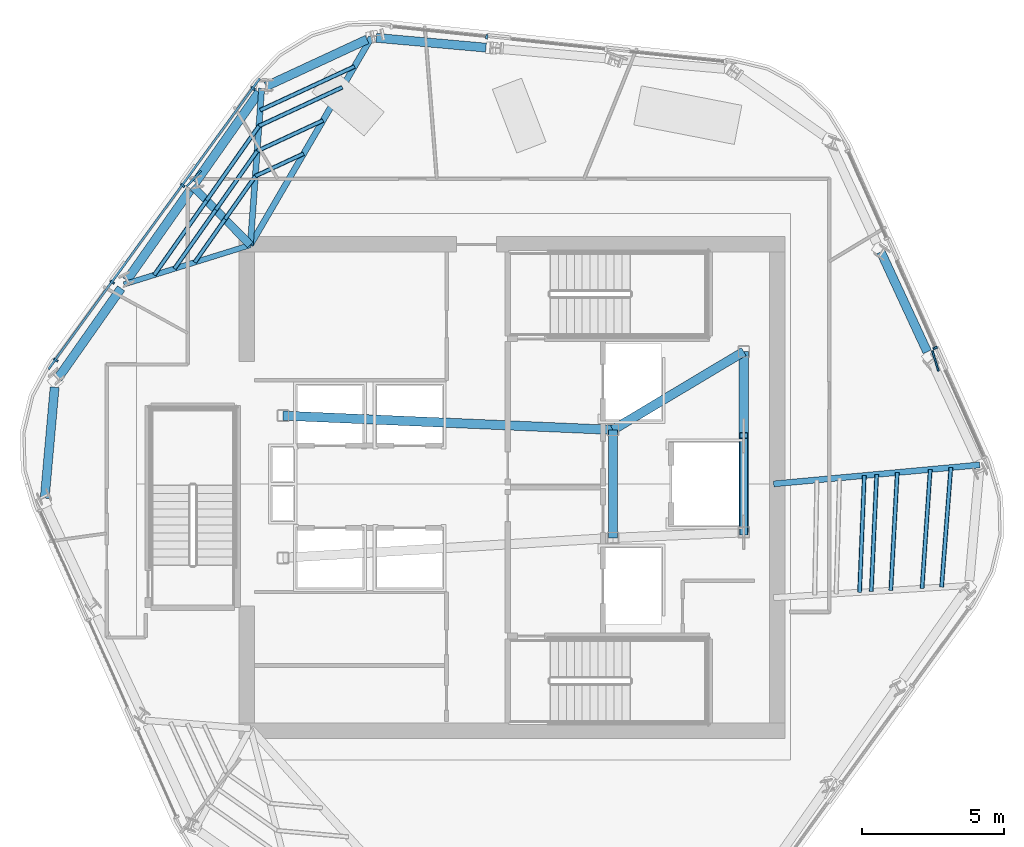
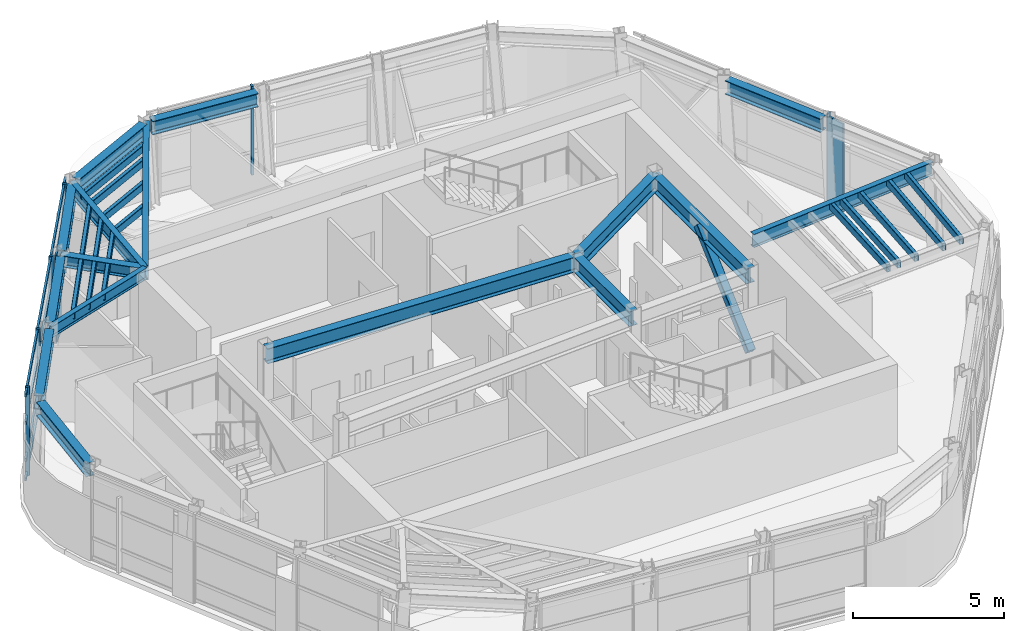
# One storey, part 3 of 12: 28 members, 16 beams, 3 elements without a shape of their own.
"""IFC4 building model written with IfcOpenShell, lengths in metres."""

from ifc_helpers import new_model, si_unit, direction, frame, origin, origin_2d, place, context, subcontext, project, spatial, rectangle, hollow_rectangle, i_section, extrude, material, layer, layer_set, material_profile, profile_set, type_object, element, aggregate, save


model = new_model("IFC4")

# Units and contexts
model_context = context("Model", 3, precision=1e-05, world=origin(), true_north=direction((0.0, 1.0)))
body_context = subcontext(model_context, "Body", "Model", "MODEL_VIEW")
ifc_project = project(units=[si_unit("LENGTHUNIT", "METRE"), si_unit("AREAUNIT", "SQUARE_METRE"), si_unit("VOLUMEUNIT", "CUBIC_METRE"), si_unit("PLANEANGLEUNIT", "RADIAN"), si_unit("MASSUNIT", "GRAM", prefix="KILO")], contexts=[model_context])

# Site, building, storey
site_placement = place(None, origin())
site = spatial("IfcSite", under=ifc_project, at=site_placement, CompositionType="ELEMENT")
building_placement = place(site_placement, origin())
building = spatial("IfcBuilding", under=site, at=building_placement, Name="Valkerne Bourse Tower", CompositionType="ELEMENT")
storey_placement = place(building_placement, frame((0.0, 0.0, 258.39990234375)))
storey = spatial("IfcBuildingStorey", under=building, at=storey_placement, Name="L65", CompositionType="ELEMENT", Elevation=258.39990234375)

# Beams
ifc_material_1 = material(Name="Steel ASTM A992", Category="steel")
ifc_material_profile_1 = material_profile(ifc_material_1, i_section(OverallWidth=0.1904296875, OverallDepth=0.457275390625, WebThickness=0.009033203125, FlangeThickness=0.014404296875, FilletRadius=0.01513671875, at=origin_2d()), Name="W18X50")
ifc_profile_set_1 = profile_set([ifc_material_profile_1], Name="Steel ASTM A992")
beam_type_1 = type_object("IfcBeamType", Name="BM-W18X50", PredefinedType="JOIST", material=ifc_profile_set_1)
beam_1_placement = place(storey_placement, frame((33.154296875, 34.016357421875, 3.37158203125), z_axis=(0.954831984078, 0.2971462303, 0.0), x_axis=(-0.2971462303, 0.954831984078, 0.0)))
element("IfcBeam", 1, at=beam_1_placement, inside=storey, type_object=beam_type_1, Name="L65 Radial Composite Floor Beam 06", PredefinedType="JOIST", context=body_context, shape_type="SweptSolid", body=[
    extrude(i_section(OverallWidth=0.1904296875, OverallDepth=0.457275390625, WebThickness=0.009033203125, FlangeThickness=0.014404296875, FilletRadius=0.01513671875, at=origin_2d()), origin(), (0.0, 0.0, 1.0), 4.656005859375),
])
ifc_material_profile_2 = material_profile(ifc_material_1, i_section(OverallWidth=0.279296875, OverallDepth=0.46240234375, WebThickness=0.0107421875, FlangeThickness=0.017333984375, FilletRadius=0.017822265625, at=origin_2d()), Name="W18X76")
ifc_profile_set_2 = profile_set([ifc_material_profile_2], Name="Steel ASTM A992")
beam_type_2 = type_object("IfcBeamType", Name="BM-W18X76", PredefinedType="BEAM", material=ifc_profile_set_2)
beam_2_placement = place(storey_placement, frame((35.576171875, 37.46240234375, 3.368896484375), z_axis=(0.700400772795, -0.713749786317, 0.0), x_axis=(0.713749786317, 0.700400772795, 0.0)))
element("IfcBeam", 2, at=beam_2_placement, inside=storey, type_object=beam_type_2, Name="L65 Radial Composite Floor Beam 05", PredefinedType="BEAM", context=body_context, shape_type="SweptSolid", body=[
    extrude(i_section(OverallWidth=0.279296875, OverallDepth=0.46240234375, WebThickness=0.0107421875, FlangeThickness=0.017333984375, FilletRadius=0.017822265625, at=origin_2d()), origin(), (0.0, 0.0, 1.0), 2.8896484375),
])
ifc_material_profile_3 = material_profile(ifc_material_1, i_section(OverallWidth=0.31494140625, OverallDepth=0.5537109375, WebThickness=0.0166015625, FlangeThickness=0.026123046875, FilletRadius=0.020263671875, at=origin_2d()), Name="W21X132")
ifc_profile_set_3 = profile_set([ifc_material_profile_3], Name="Steel ASTM A992")
beam_type_3 = type_object("IfcBeamType", Name="BM-W21X132", PredefinedType="BEAM", material=ifc_profile_set_3)
beam_3_placement = place(storey_placement, frame((45.884033203125, 42.3408203125, 3.3232421875), z_axis=(-0.996040198299, 0.088904012129, 0.0), x_axis=(-0.088904012129, -0.996040198299, 0.0)))
element("IfcBeam", 3, at=beam_3_placement, inside=storey, type_object=beam_type_3, Name="L65 Hexagonal Spandrel Ring Beam 02", PredefinedType="BEAM", context=body_context, shape_type="SweptSolid", body=[
    extrude(i_section(OverallWidth=0.31494140625, OverallDepth=0.5537109375, WebThickness=0.0166015625, FlangeThickness=0.026123046875, FilletRadius=0.020263671875, at=origin_2d()), origin(), (0.0, 0.0, 1.0), 3.8720703125),
])
beam_4_placement = place(storey_placement, frame((41.703857421875, 42.628662109375, 3.3232421875), z_axis=(-0.907042984844, -0.421038031114, 0.0), x_axis=(0.421038031114, -0.907042984844, 0.0)))
element("IfcBeam", 4, at=beam_4_placement, inside=storey, type_object=beam_type_3, Name="L65 Hexagonal Spandrel Ring Beam 03", PredefinedType="BEAM", context=body_context, shape_type="SweptSolid", body=[
    extrude(i_section(OverallWidth=0.31494140625, OverallDepth=0.5537109375, WebThickness=0.0166015625, FlangeThickness=0.026123046875, FilletRadius=0.020263671875, at=origin_2d()), origin(), (0.0, 0.0, 1.0), 3.915771484375),
])
beam_5_placement = place(storey_placement, frame((37.900146484375, 40.769287109375, 3.3232421875), z_axis=(-0.575005980891, -0.818149205182, 0.0), x_axis=(0.818149205182, -0.575005980891, 0.0)))
element("IfcBeam", 5, at=beam_5_placement, inside=storey, type_object=beam_type_3, Name="L65 Hexagonal Spandrel Ring Beam 04", PredefinedType="BEAM", context=body_context, shape_type="SweptSolid", body=[
    extrude(i_section(OverallWidth=0.31494140625, OverallDepth=0.5537109375, WebThickness=0.0166015625, FlangeThickness=0.026123046875, FilletRadius=0.020263671875, at=origin_2d()), origin(), (0.0, 0.0, 1.0), 3.871826171875),
])
beam_6_placement = place(storey_placement, frame((35.478515625, 37.3232421875, 3.3232421875), z_axis=(-0.575048186148, -0.818119541148, 0.0), x_axis=(0.818119541148, -0.575048186148, 0.0)))
element("IfcBeam", 6, at=beam_6_placement, inside=storey, type_object=beam_type_3, Name="L65 Hexagonal Spandrel Ring Beam 05", PredefinedType="BEAM", context=body_context, shape_type="SweptSolid", body=[
    extrude(i_section(OverallWidth=0.31494140625, OverallDepth=0.5537109375, WebThickness=0.0166015625, FlangeThickness=0.026123046875, FilletRadius=0.020263671875, at=origin_2d()), origin(), (0.0, 0.0, 1.0), 3.8720703125),
])
beam_7_placement = place(storey_placement, frame((33.056396484375, 33.877197265625, 3.3232421875), z_axis=(-0.575005980891, -0.818149205182, 0.0), x_axis=(0.818149205182, -0.575005980891, 0.0)))
element("IfcBeam", 7, at=beam_7_placement, inside=storey, type_object=beam_type_3, Name="L65 Hexagonal Spandrel Ring Beam 06", PredefinedType="BEAM", context=body_context, shape_type="SweptSolid", body=[
    extrude(i_section(OverallWidth=0.31494140625, OverallDepth=0.5537109375, WebThickness=0.0166015625, FlangeThickness=0.026123046875, FilletRadius=0.020263671875, at=origin_2d()), origin(), (0.0, 0.0, 1.0), 3.871826171875),
])
beam_8_placement = place(storey_placement, frame((30.71728515625, 30.40087890625, 3.3232421875), z_axis=(-0.088910950834, -0.996039578943, 0.0), x_axis=(0.996039578943, -0.088910950834, 0.0)))
element("IfcBeam", 8, at=beam_8_placement, inside=storey, type_object=beam_type_3, Name="L65 Hexagonal Spandrel Ring Beam 07", PredefinedType="BEAM", context=body_context, shape_type="SweptSolid", body=[
    extrude(i_section(OverallWidth=0.31494140625, OverallDepth=0.5537109375, WebThickness=0.0166015625, FlangeThickness=0.026123046875, FilletRadius=0.020263671875, at=origin_2d()), origin(), (0.0, 0.0, 1.0), 3.915771484375),
])
beam_9_placement = place(storey_placement, frame((61.40087890625, 31.643310546875, 3.3232421875), z_axis=(-0.421020525824, 0.907051110376, 0.0), x_axis=(-0.907051110376, -0.421020525824, 0.0)))
element("IfcBeam", 9, at=beam_9_placement, inside=storey, type_object=beam_type_3, Name="L65 Hexagonal Spandrel Ring Beam 21", PredefinedType="BEAM", context=body_context, shape_type="SweptSolid", body=[
    extrude(i_section(OverallWidth=0.31494140625, OverallDepth=0.5537109375, WebThickness=0.0166015625, FlangeThickness=0.026123046875, FilletRadius=0.020263671875, at=origin_2d()), origin(), (0.0, 0.0, 1.0), 3.871826171875),
])
ifc_material_profile_4 = material_profile(ifc_material_1, i_section(OverallWidth=0.209228515625, OverallDepth=0.533447265625, WebThickness=0.01025390625, FlangeThickness=0.015625, FilletRadius=0.017822265625, at=origin_2d()), Name="W21X62")
ifc_profile_set_4 = profile_set([ifc_material_profile_4], Name="Steel ASTM A992")
beam_type_4 = type_object("IfcBeamType", Name="BM-W21X62", PredefinedType="JOIST", material=ifc_profile_set_4)
beam_10_placement = place(storey_placement, frame((37.998046875, 40.908447265625, 3.33349609375), z_axis=(-0.072054387636, -0.997400704442, 0.0), x_axis=(0.997400704442, -0.072054387636, 0.0)))
element("IfcBeam", 10, at=beam_10_placement, inside=storey, type_object=beam_type_4, Name="L65 Radial Composite Floor Beam 04", PredefinedType="JOIST", context=body_context, shape_type="SweptSolid", body=[
    extrude(i_section(OverallWidth=0.209228515625, OverallDepth=0.533447265625, WebThickness=0.01025390625, FlangeThickness=0.015625, FilletRadius=0.017822265625, at=origin_2d()), origin(), (0.0, 0.0, 1.0), 5.52294921875),
])
beam_11_placement = place(storey_placement, frame((63.24609375, 27.66845703125, 3.33349609375), z_axis=(-0.995771874135, -0.091860626394, 0.0), x_axis=(0.091860626394, -0.995771874135, 0.0)))
element("IfcBeam", 11, at=beam_11_placement, inside=storey, type_object=beam_type_4, Name="L65 Radial Composite Floor Beam 20", PredefinedType="JOIST", context=body_context, shape_type="SweptSolid", body=[
    extrude(i_section(OverallWidth=0.209228515625, OverallDepth=0.533447265625, WebThickness=0.01025390625, FlangeThickness=0.015625, FilletRadius=0.017822265625, at=origin_2d()), origin(), (0.0, 0.0, 1.0), 7.27685546875),
])
ifc_material_profile_5 = material_profile(ifc_material_1, i_section(OverallWidth=0.2138671875, OverallDepth=0.548583984375, WebThickness=0.0146484375, FlangeThickness=0.023681640625, FilletRadius=0.017822265625, at=origin_2d()), Name="W21X93")
ifc_profile_set_5 = profile_set([ifc_material_profile_5], Name="Steel ASTM A992")
beam_type_5 = type_object("IfcBeamType", Name="BM-W21X93", PredefinedType="BEAM", material=ifc_profile_set_5)
beam_12_placement = place(storey_placement, frame((41.858154296875, 42.7001953125, 3.32568359375), z_axis=(-0.503831510127, -0.863801950336, 0.0), x_axis=(0.863801950336, -0.503831510127, 0.0)))
element("IfcBeam", 12, at=beam_12_placement, inside=storey, type_object=beam_type_5, Name="L65 Radial Composite Floor Beam 03", PredefinedType="BEAM", context=body_context, shape_type="SweptSolid", body=[
    extrude(i_section(OverallWidth=0.2138671875, OverallDepth=0.548583984375, WebThickness=0.0146484375, FlangeThickness=0.023681640625, FilletRadius=0.017822265625, at=origin_2d()), origin(), (0.0, 0.0, 1.0), 8.451416015625),
])
ifc_material_profile_6 = material_profile(ifc_material_1, i_section(OverallWidth=0.3251953125, OverallDepth=0.612060546875, WebThickness=0.0126953125, FlangeThickness=0.01904296875, FilletRadius=0.020263671875, at=origin_2d()), Name="W24X104")
ifc_profile_set_6 = profile_set([ifc_material_profile_6], Name="Steel ASTM A992")
beam_type_6 = type_object("IfcBeamType", Name="BM-W24X104", PredefinedType="BEAM", material=ifc_profile_set_6)
beam_13_placement = place(storey_placement, frame((50.35009765625, 25.10009765625, 3.2939453125), z_axis=(0.0, 1.0, 0.0), x_axis=(-1.0, 0.0, 0.0)))
element("IfcBeam", 13, at=beam_13_placement, inside=storey, type_object=beam_type_6, Name="L65 Core Frame Girder CG-CE", PredefinedType="BEAM", context=body_context, shape_type="SweptSolid", body=[
    extrude(i_section(OverallWidth=0.3251953125, OverallDepth=0.612060546875, WebThickness=0.0126953125, FlangeThickness=0.01904296875, FilletRadius=0.020263671875, at=origin_2d()), origin(), (0.0, 0.0, 1.0), 3.7998046875),
])
beam_14_placement = place(storey_placement, frame((50.35009765625, 28.89990234375, 3.2939453125), z_axis=(0.858307823492, 0.513135148019, 0.0), x_axis=(-0.513135148019, 0.858307823492, 0.0)))
element("IfcBeam", 14, at=beam_14_placement, inside=storey, type_object=beam_type_6, Name="L65 Core Frame Girder CG-NE", PredefinedType="BEAM", context=body_context, shape_type="SweptSolid", body=[
    extrude(i_section(OverallWidth=0.3251953125, OverallDepth=0.612060546875, WebThickness=0.0126953125, FlangeThickness=0.01904296875, FilletRadius=0.020263671875, at=origin_2d()), origin(), (0.0, 0.0, 1.0), 5.359130859375),
])
beam_15_placement = place(storey_placement, frame((54.949951171875, 25.300048828125, 3.2939453125), z_axis=(0.0, 1.0, 0.0), x_axis=(-1.0, 0.0, 0.0)))
element("IfcBeam", 15, at=beam_15_placement, inside=storey, type_object=beam_type_6, Name="L65 Core Frame Girder CG-EE", PredefinedType="BEAM", context=body_context, shape_type="SweptSolid", body=[
    extrude(i_section(OverallWidth=0.3251953125, OverallDepth=0.612060546875, WebThickness=0.0126953125, FlangeThickness=0.01904296875, FilletRadius=0.020263671875, at=origin_2d()), origin(), (0.0, 0.0, 1.0), 6.349853515625),
])
beam_16_placement = place(storey_placement, frame((38.75, 29.39990234375, 3.2939453125), z_axis=(0.999072354402, -0.043063101019, 0.0), x_axis=(0.043063101019, 0.999072354402, 0.0)))
element("IfcBeam", 16, at=beam_16_placement, inside=storey, type_object=beam_type_6, Name="L65 Core Frame Girder CG-NW", PredefinedType="BEAM", context=body_context, shape_type="SweptSolid", body=[
    extrude(i_section(OverallWidth=0.3251953125, OverallDepth=0.612060546875, WebThickness=0.0126953125, FlangeThickness=0.01904296875, FilletRadius=0.020263671875, at=origin_2d()), origin(), (0.0, 0.0, 1.0), 11.61083984375),
])

# Curtain wall, member
ifc_material_2 = material(Name="Aluminium AA 6063-T6", Category="aluminium")
ifc_layer = layer(ifc_material_2, 0.2451171875)
ifc_layer_set = layer_set([ifc_layer], Name="Aluminium AA 6063-T6")
curtain_wall_type = type_object("IfcCurtainWallType", Name="CW-05", PredefinedType="NOTDEFINED", material=ifc_layer_set)
curtain_wall_1_placement = place(storey_placement, origin())
curtain_wall_1 = element("IfcCurtainWall", 17, at=curtain_wall_1_placement, inside=storey, type_object=curtain_wall_type, Name="L65 Hexagonal Stick Curtain Wall Face 1", PredefinedType="NOTDEFINED")
ifc_material_profile_7 = material_profile(ifc_material_2, rectangle(XDim=0.074951171875, YDim=0.159912109375, at=origin_2d()), Name="CWM-75X160")
ifc_profile_set_7 = profile_set([ifc_material_profile_7], Name="Aluminium AA 6063-T6")
member_type_1 = type_object("IfcMemberType", Name="CW-MUL-160X75", PredefinedType="MULLION", material=ifc_profile_set_7)
member_1_placement = place(storey_placement, frame((45.912109375, 42.717529296875, 0.0), z_axis=(0.0, 0.0, 1.0), x_axis=(-0.994521182832, 0.104535242377, 0.0)))
member_1 = element("IfcMember", 18, at=member_1_placement, type_object=member_type_1, Name="CW-L65-F1 Jamb Mullion 02A", PredefinedType="MULLION", context=body_context, shape_type="SweptSolid", body=[
    extrude(rectangle(XDim=0.074951171875, YDim=0.159912109375, at=origin_2d()), origin(), (0.0, 0.0, 1.0), 3.60009765625),
])
aggregate(curtain_wall_1, [member_1])

# Curtain wall, members
curtain_wall_2_placement = place(storey_placement, origin())
curtain_wall_2 = element("IfcCurtainWall", 19, at=curtain_wall_2_placement, inside=storey, type_object=curtain_wall_type, Name="L65 Hexagonal Stick Curtain Wall Face 2", PredefinedType="NOTDEFINED")
member_2_placement = place(storey_placement, frame((37.69580078125, 40.905029296875, 0.0), z_axis=(0.0, 0.0, 1.0), x_axis=(-0.587790486046, -0.809013191805, 0.0)))
member_2 = element("IfcMember", 20, at=member_2_placement, type_object=member_type_1, Name="CW-L65-F2 Jamb Mullion 00A", PredefinedType="MULLION", context=body_context, shape_type="SweptSolid", body=[
    extrude(rectangle(XDim=0.074951171875, YDim=0.159912109375, at=origin_2d()), origin(), (0.0, 0.0, 1.0), 3.60009765625),
])
member_3_placement = place(storey_placement, frame((35.219970703125, 37.49755859375, 0.0), z_axis=(0.0, 0.0, 1.0), x_axis=(-0.587774946897, -0.809024481583, 0.0)))
member_3 = element("IfcMember", 21, at=member_3_placement, type_object=member_type_1, Name="CW-L65-F2 Jamb Mullion 01A", PredefinedType="MULLION", context=body_context, shape_type="SweptSolid", body=[
    extrude(rectangle(XDim=0.074951171875, YDim=0.159912109375, at=origin_2d()), origin(), (0.0, 0.0, 1.0), 3.60009765625),
])
member_4_placement = place(storey_placement, frame((32.744140625, 34.08984375, 0.0), z_axis=(0.0, 0.0, 1.0), x_axis=(-0.587790486046, -0.809013191805, 0.0)))
member_4 = element("IfcMember", 22, at=member_4_placement, type_object=member_type_1, Name="CW-L65-F2 Jamb Mullion 02A", PredefinedType="MULLION", context=body_context, shape_type="SweptSolid", body=[
    extrude(rectangle(XDim=0.074951171875, YDim=0.159912109375, at=origin_2d()), origin(), (0.0, 0.0, 1.0), 3.60009765625),
])
member_5_placement = place(storey_placement, frame((30.76220703125, 31.36181640625, 0.0), z_axis=(0.0, 0.0, 1.0), x_axis=(-0.587790486046, -0.809013191805, 0.0)))
member_5 = element("IfcMember", 23, at=member_5_placement, type_object=member_type_1, Name="CW-L65-F2 Jamb Mullion 02B", PredefinedType="MULLION", context=body_context, shape_type="SweptSolid", body=[
    extrude(rectangle(XDim=0.074951171875, YDim=0.159912109375, at=origin_2d()), origin(), (0.0, 0.0, 1.0), 3.60009765625),
])

# Curtain wall, member
curtain_wall_3_placement = place(storey_placement, origin())
curtain_wall_3 = element("IfcCurtainWall", 24, at=curtain_wall_3_placement, inside=storey, type_object=curtain_wall_type, Name="L65 Hexagonal Stick Curtain Wall Face 6", PredefinedType="NOTDEFINED")
member_6_placement = place(storey_placement, frame((61.68115234375, 31.780029296875, 0.0), z_axis=(0.0, 0.0, 1.0), x_axis=(-0.406726550532, 0.913549951066, 0.0)))
member_6 = element("IfcMember", 25, at=member_6_placement, type_object=member_type_1, Name="CW-L65-F6 Jamb Mullion 01A", PredefinedType="MULLION", context=body_context, shape_type="SweptSolid", body=[
    extrude(rectangle(XDim=0.074951171875, YDim=0.159912109375, at=origin_2d()), origin(), (0.0, 0.0, 1.0), 3.60009765625),
])
aggregate(curtain_wall_3, [member_6])

# Member
ifc_material_profile_8 = material_profile(ifc_material_2, rectangle(XDim=0.074951171875, YDim=0.1201171875, at=origin_2d()), Name="CWT-75X120")
ifc_profile_set_8 = profile_set([ifc_material_profile_8], Name="Aluminium AA 6063-T6")
member_type_2 = type_object("IfcMemberType", Name="CW-TRN-120X75", PredefinedType="USERDEFINED", material=ifc_profile_set_8)
member_7_placement = place(storey_placement, frame((37.926513671875, 41.256591796875, 0.1201171875), z_axis=(-0.58779138187, -0.809012540941, 0.0), x_axis=(0.809012540941, -0.58779138187, 0.0)))
member_7 = element("IfcMember", 26, at=member_7_placement, type_object=member_type_2, Name="CW-L65-F2 Continuous Face Transom 1", ObjectType="TRANSOM", PredefinedType="USERDEFINED", context=body_context, shape_type="SweptSolid", body=[
    extrude(rectangle(XDim=0.074951171875, YDim=0.1201171875, at=origin_2d()), origin(), (0.0, 0.0, 1.0), 12.63623046875),
])

member_8_placement = place(storey_placement, frame((37.926513671875, 41.256591796875, 0.900146484375), z_axis=(-0.58779138187, -0.809012540941, 0.0), x_axis=(0.809012540941, -0.58779138187, 0.0)))
member_8 = element("IfcMember", 27, at=member_8_placement, type_object=member_type_2, Name="CW-L65-F2 Continuous Face Transom 2", ObjectType="TRANSOM", PredefinedType="USERDEFINED", context=body_context, shape_type="SweptSolid", body=[
    extrude(rectangle(XDim=0.074951171875, YDim=0.1201171875, at=origin_2d()), origin(), (0.0, 0.0, 1.0), 12.63623046875),
])

member_9_placement = place(storey_placement, frame((37.926513671875, 41.256591796875, 2.400146484375), z_axis=(-0.58779138187, -0.809012540941, 0.0), x_axis=(0.809012540941, -0.58779138187, 0.0)))
member_9 = element("IfcMember", 28, at=member_9_placement, type_object=member_type_2, Name="CW-L65-F2 Continuous Face Transom 3", ObjectType="TRANSOM", PredefinedType="USERDEFINED", context=body_context, shape_type="SweptSolid", body=[
    extrude(rectangle(XDim=0.074951171875, YDim=0.1201171875, at=origin_2d()), origin(), (0.0, 0.0, 1.0), 12.63623046875),
])

member_10_placement = place(storey_placement, frame((37.926513671875, 41.256591796875, 3.52001953125), z_axis=(-0.58779138187, -0.809012540941, 0.0), x_axis=(0.809012540941, -0.58779138187, 0.0)))
member_10 = element("IfcMember", 29, at=member_10_placement, type_object=member_type_2, Name="CW-L65-F2 Continuous Face Transom 4", ObjectType="TRANSOM", PredefinedType="USERDEFINED", context=body_context, shape_type="SweptSolid", body=[
    extrude(rectangle(XDim=0.074951171875, YDim=0.1201171875, at=origin_2d()), origin(), (0.0, 0.0, 1.0), 12.63623046875),
])

aggregate(curtain_wall_2, [member_7, member_8, member_9, member_10, member_2, member_3, member_4, member_5])

# Members
ifc_material_3 = material(Name="Bronze Anodised Aluminium AA 6063-T6", Category="aluminium")
ifc_material_profile_9 = material_profile(ifc_material_3, rectangle(XDim=0.06494140625, YDim=0.75, at=origin_2d()), Name="FIN-65X750")
ifc_profile_set_9 = profile_set([ifc_material_profile_9], Name="Bronze Anodised Aluminium AA 6063-T6")
member_type_3 = type_object("IfcMemberType", Name="FIN-SOLAR-650", PredefinedType="USERDEFINED", material=ifc_profile_set_9)
for number, where, z_axis, x_axis, name in (
    (30, (35.6123046875, 37.7314453125, 0.004150390625), (0.0, 0.0, 1.0), (-0.735159127955, 0.677894576305, 0.0), "L65 Bronze Anodised Solar Fin F2-01"),
    (31, (61.6875, 31.322998046875, 0.004150390625), (0.0, 0.0, 1.0), (0.957900103156, 0.287101710851, 0.0), "L65 Bronze Anodised Solar Fin F6-01"),
):
    element("IfcMember", number, at=place(storey_placement, frame(where, z_axis=z_axis, x_axis=x_axis)), inside=storey, type_object=member_type_3, Name=name, ObjectType="SOLAR_FIN", PredefinedType="USERDEFINED", context=body_context, shape_type="SweptSolid", body=[
        extrude(rectangle(XDim=0.06494140625, YDim=0.75, at=origin_2d()), origin(), (0.0, 0.0, 1.0), 3.592041015625),
    ])
ifc_material_4 = material(Name="Steel ASTM A500 Grade C", Category="steel")
ifc_material_profile_10 = material_profile(ifc_material_4, hollow_rectangle(XDim=0.14990234375, YDim=0.300048828125, WallThickness=0.012451171875, OuterFilletRadius=0.02490234375, at=origin_2d()), Name="HSS300X150X12.5")
ifc_profile_set_10 = profile_set([ifc_material_profile_10], Name="Steel ASTM A500 Grade C")
member_type_4 = type_object("IfcMemberType", Name="MBR-HSS300X150X12.5", PredefinedType="PURLIN", material=ifc_profile_set_10)
member_11_placement = place(storey_placement, frame((39.4736328125, 38.612060546875, 3.440185546875), z_axis=(-0.907060538734, -0.421000212674, 0.0), x_axis=(0.421000212674, -0.907060538734, 0.0)))
element("IfcMember", 32, at=member_11_placement, inside=storey, type_object=member_type_4, Name="L65 Secondary Composite Floor Purlin K-03", PredefinedType="PURLIN", context=body_context, shape_type="SweptSolid", body=[
    extrude(hollow_rectangle(XDim=0.14990234375, YDim=0.300048828125, WallThickness=0.012451171875, OuterFilletRadius=0.02490234375, at=origin_2d()), origin(), (0.0, 0.0, 1.0), 1.87255859375),
])
for number, where, z_axis, x_axis, name in (
    (33, (37.775146484375, 37.82373046875, 3.440185546875), (-0.575052773399, -0.818116316795, 0.0), (0.818116316795, -0.575052773399, 0.0), "L65 Secondary Composite Floor Purlin K-04"),
    (34, (36.70947265625, 36.3076171875, 3.440185546875), (-0.574990799194, -0.818159874867, 0.0), (0.818159874867, -0.574990799194, 0.0), "L65 Secondary Composite Floor Purlin K-05"),
):
    element("IfcMember", number, at=place(storey_placement, frame(where, z_axis=z_axis, x_axis=x_axis)), inside=storey, type_object=member_type_4, Name=name, PredefinedType="PURLIN", context=body_context, shape_type="SweptSolid", body=[
        extrude(hollow_rectangle(XDim=0.14990234375, YDim=0.300048828125, WallThickness=0.012451171875, OuterFilletRadius=0.02490234375, at=origin_2d()), origin(), (0.0, 0.0, 1.0), 1.853271484375),
    ])
member_12_placement = place(storey_placement, frame((59.021728515625, 23.189208984375, 3.440185546875), z_axis=(0.040528111563, 0.999178398572, 0.0), x_axis=(-0.999178398572, 0.040528111563, 0.0)))
element("IfcMember", 35, at=member_12_placement, inside=storey, type_object=member_type_4, Name="L65 Secondary Composite Floor Purlin K-19", PredefinedType="PURLIN", context=body_context, shape_type="SweptSolid", body=[
    extrude(hollow_rectangle(XDim=0.14990234375, YDim=0.300048828125, WallThickness=0.012451171875, OuterFilletRadius=0.02490234375, at=origin_2d()), origin(), (0.0, 0.0, 1.0), 4.1083984375),
])
member_13_placement = place(storey_placement, frame((59.433837890625, 23.21484375, 3.440185546875), z_axis=(0.045882995679, 0.998946820761, 0.0), x_axis=(-0.998946820761, 0.045882995679, 0.0)))
element("IfcMember", 36, at=member_13_placement, inside=storey, type_object=member_type_4, Name="L65 Secondary Composite Floor Purlin M-19", PredefinedType="PURLIN", context=body_context, shape_type="SweptSolid", body=[
    extrude(hollow_rectangle(XDim=0.14990234375, YDim=0.300048828125, WallThickness=0.012451171875, OuterFilletRadius=0.02490234375, at=origin_2d()), origin(), (0.0, 0.0, 1.0), 4.123779296875),
])
member_14_placement = place(storey_placement, frame((40.836181640625, 40.9482421875, 3.440185546875), z_axis=(-0.907033679171, -0.421058077764, 0.0), x_axis=(0.421058077764, -0.907033679171, 0.0)))
element("IfcMember", 37, at=member_14_placement, inside=storey, type_object=member_type_4, Name="L65 Secondary Composite Floor Purlin O-03", PredefinedType="PURLIN", context=body_context, shape_type="SweptSolid", body=[
    extrude(hollow_rectangle(XDim=0.14990234375, YDim=0.300048828125, WallThickness=0.012451171875, OuterFilletRadius=0.02490234375, at=origin_2d()), origin(), (0.0, 0.0, 1.0), 3.234375),
])
member_15_placement = place(storey_placement, frame((37.902587890625, 39.58642578125, 3.440185546875), z_axis=(-0.575017264401, -0.818141274867, 0.0), x_axis=(0.818141274867, -0.575017264401, 0.0)))
element("IfcMember", 38, at=member_15_placement, inside=storey, type_object=member_type_4, Name="L65 Secondary Composite Floor Purlin O-04", PredefinedType="PURLIN", context=body_context, shape_type="SweptSolid", body=[
    extrude(hollow_rectangle(XDim=0.14990234375, YDim=0.300048828125, WallThickness=0.012451171875, OuterFilletRadius=0.02490234375, at=origin_2d()), origin(), (0.0, 0.0, 1.0), 3.201416015625),
])
member_16_placement = place(storey_placement, frame((36.061767578125, 36.96728515625, 3.440185546875), z_axis=(-0.575002093385, -0.818151937358, 0.0), x_axis=(0.818151937358, -0.575002093385, 0.0)))
element("IfcMember", 39, at=member_16_placement, inside=storey, type_object=member_type_4, Name="L65 Secondary Composite Floor Purlin O-05", PredefinedType="PURLIN", context=body_context, shape_type="SweptSolid", body=[
    extrude(hollow_rectangle(XDim=0.14990234375, YDim=0.300048828125, WallThickness=0.012451171875, OuterFilletRadius=0.02490234375, at=origin_2d()), origin(), (0.0, 0.0, 1.0), 3.200927734375),
])
member_17_placement = place(storey_placement, frame((61.219482421875, 23.32666015625, 3.440185546875), z_axis=(0.06861817298, 0.997642995433, 0.0), x_axis=(-0.997642995433, 0.06861817298, 0.0)))
element("IfcMember", 40, at=member_17_placement, inside=storey, type_object=member_type_4, Name="L65 Secondary Composite Floor Purlin O-19", PredefinedType="PURLIN", context=body_context, shape_type="SweptSolid", body=[
    extrude(hollow_rectangle(XDim=0.14990234375, YDim=0.300048828125, WallThickness=0.012451171875, OuterFilletRadius=0.02490234375, at=origin_2d()), origin(), (0.0, 0.0, 1.0), 4.191162109375),
])
member_18_placement = place(storey_placement, frame((40.15478515625, 39.780029296875, 3.440185546875), z_axis=(-0.907053311232, -0.421015784245, 0.0), x_axis=(0.421015784245, -0.907053311232, 0.0)))
element("IfcMember", 41, at=member_18_placement, inside=storey, type_object=member_type_4, Name="L65 Secondary Composite Floor Purlin Z-03", PredefinedType="PURLIN", context=body_context, shape_type="SweptSolid", body=[
    extrude(hollow_rectangle(XDim=0.14990234375, YDim=0.300048828125, WallThickness=0.012451171875, OuterFilletRadius=0.02490234375, at=origin_2d()), origin(), (0.0, 0.0, 1.0), 2.55322265625),
])
for number, where, z_axis, x_axis, name in (
    (42, (37.8388671875, 38.705078125, 3.440185546875), (-0.574997951953, -0.818154847966, 0.0), (0.818154847966, -0.574997951953, 0.0), "L65 Secondary Composite Floor Purlin Z-04"),
    (43, (36.3857421875, 36.637451171875, 3.440185546875), (-0.574997951953, -0.818154847966, 0.0), (0.818154847966, -0.574997951953, 0.0), "L65 Secondary Composite Floor Purlin Z-05"),
):
    element("IfcMember", number, at=place(storey_placement, frame(where, z_axis=z_axis, x_axis=x_axis)), inside=storey, type_object=member_type_4, Name=name, PredefinedType="PURLIN", context=body_context, shape_type="SweptSolid", body=[
        extrude(hollow_rectangle(XDim=0.14990234375, YDim=0.300048828125, WallThickness=0.012451171875, OuterFilletRadius=0.02490234375, at=origin_2d()), origin(), (0.0, 0.0, 1.0), 2.527099609375),
    ])
member_19_placement = place(storey_placement, frame((60.12060546875, 23.2578125, 3.440185546875), z_axis=(0.054717268043, 0.998501888119, 0.0), x_axis=(-0.998501888119, 0.054717268043, 0.0)))
element("IfcMember", 44, at=member_19_placement, inside=storey, type_object=member_type_4, Name="L65 Secondary Composite Floor Purlin Z-19", PredefinedType="PURLIN", context=body_context, shape_type="SweptSolid", body=[
    extrude(hollow_rectangle(XDim=0.14990234375, YDim=0.300048828125, WallThickness=0.012451171875, OuterFilletRadius=0.02490234375, at=origin_2d()), origin(), (0.0, 0.0, 1.0), 4.1494140625),
])
member_20_placement = place(storey_placement, frame((41.261962890625, 41.67822265625, 3.440185546875), z_axis=(-0.907031715819, -0.421062307145, 0.0), x_axis=(0.421062307145, -0.907031715819, 0.0)))
element("IfcMember", 45, at=member_20_placement, inside=storey, type_object=member_type_4, Name="L65 Secondary Composite Floor Purlin T-03", PredefinedType="PURLIN", context=body_context, shape_type="SweptSolid", body=[
    extrude(hollow_rectangle(XDim=0.14990234375, YDim=0.300048828125, WallThickness=0.012451171875, OuterFilletRadius=0.02490234375, at=origin_2d()), origin(), (0.0, 0.0, 1.0), 3.659912109375),
])
member_21_placement = place(storey_placement, frame((61.90625, 23.369384765625, 3.440185546875), z_axis=(0.077152371124, 0.997019313569, 0.0), x_axis=(-0.997019313569, 0.077152371124, 0.0)))
element("IfcMember", 46, at=member_21_placement, inside=storey, type_object=member_type_4, Name="L65 Secondary Composite Floor Purlin T-19", PredefinedType="PURLIN", context=body_context, shape_type="SweptSolid", body=[
    extrude(hollow_rectangle(XDim=0.14990234375, YDim=0.300048828125, WallThickness=0.012451171875, OuterFilletRadius=0.02490234375, at=origin_2d()), origin(), (0.0, 0.0, 1.0), 4.218017578125),
])
ifc_material_profile_11 = material_profile(ifc_material_4, hollow_rectangle(XDim=0.300048828125, YDim=0.300048828125, WallThickness=0.012451171875, OuterFilletRadius=0.02490234375, at=origin_2d()), Name="HSS300X300X12.5")
ifc_profile_set_11 = profile_set([ifc_material_profile_11], Name="Steel ASTM A500 Grade C")
member_type_5 = type_object("IfcMemberType", Name="MBR-HSS300X300X12.5", PredefinedType="STRUT", material=ifc_profile_set_11)
member_22_placement = place(storey_placement, frame((54.949951171875, 25.300048828125, 0.22021484375), z_axis=(0.0, 0.741793158493, 0.670628742311), x_axis=(-1.0, 0.0, 0.0)))
element("IfcMember", 47, at=member_22_placement, inside=storey, type_object=member_type_5, Name="L65 Core Service Pier Lateral Brace", PredefinedType="STRUT", context=body_context, shape_type="SweptSolid", body=[
    extrude(hollow_rectangle(XDim=0.300048828125, YDim=0.300048828125, WallThickness=0.012451171875, OuterFilletRadius=0.02490234375, at=origin_2d()), origin(), (0.0, 0.0, 1.0), 4.583251953125),
])

save(model, "model.ifc")
